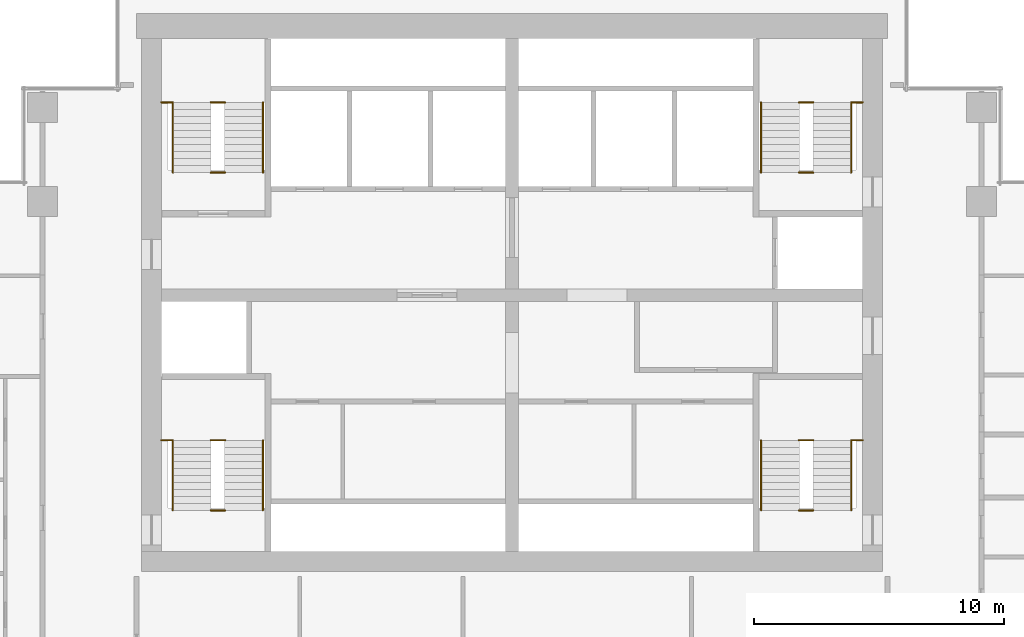
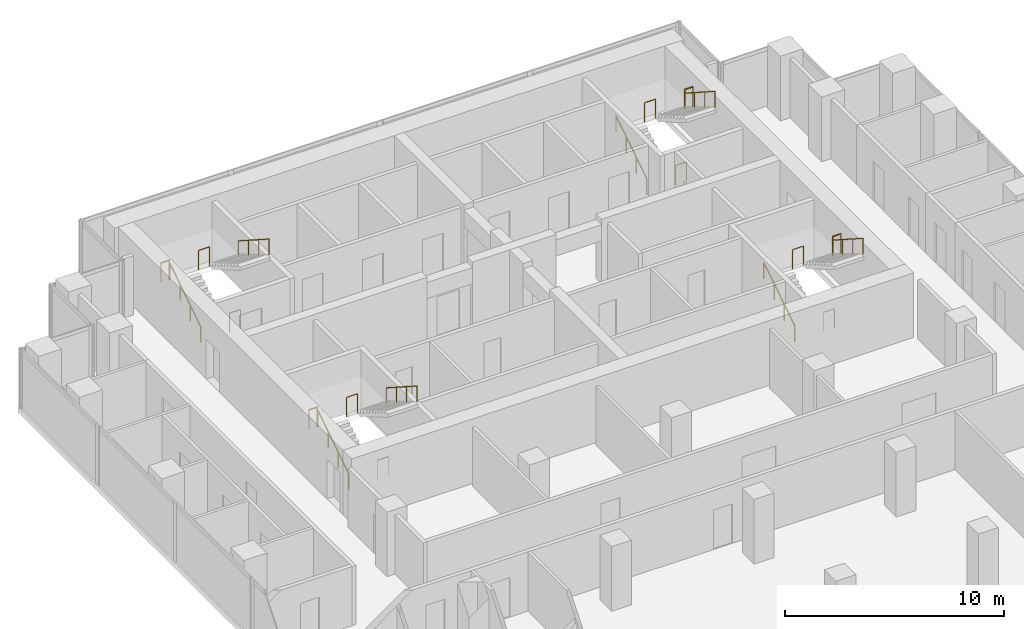
# One storey, part 10 of 10: 20 railings.
"""IFC4 building model written with IfcOpenShell, lengths in metres."""

import ifcopenshell
import ifcopenshell.guid

model = None  # the IFC model being written
_history = None  # IfcOwnerHistory: only IFC2X3 demands one
_inside = {}  # id of a spatial element -> (the spatial element, [elements in it])
_under = {}  # id of a project, library or spatial element -> (it, [spatial elements below it])
_declared = {}  # id of a project -> (the project, [libraries it declares])
_typed = {}  # id of a type object -> (the type object, [elements of that type])
_made_of = {}  # id of a material, layer set ... -> (it, [elements and type objects made of it])


def new_model(schema):
    """Start an empty IFC model of exactly this schema.

    Asked for "IFC4X3", IfcOpenShell would pick the latest addendum, in which some entities
    have other attributes; the version numbers below select the first issue.
    IFC2X3 requires an IfcOwnerHistory on every rooted entity: one is made here for all.
    """
    global model, _history
    if schema == "IFC4X3":
        model = ifcopenshell.file(schema_version=(4, 3, 0, 0))
    else:
        model = ifcopenshell.file(schema=schema)
    _inside.clear()
    _under.clear()
    _declared.clear()
    _typed.clear()
    _made_of.clear()
    _history = None
    if model.schema == "IFC2X3":
        org = make("IfcOrganization", Name="unknown")
        user = make(
            "IfcPersonAndOrganization",
            ThePerson=make("IfcPerson", FamilyName="unknown"),
            TheOrganization=org,
        )
        app = make(
            "IfcApplication",
            ApplicationDeveloper=org,
            Version="unknown",
            ApplicationFullName="unknown",
            ApplicationIdentifier="unknown",
        )
        _history = make(
            "IfcOwnerHistory",
            OwningUser=user,
            OwningApplication=app,
            ChangeAction="ADDED",
            CreationDate=0,
        )
    return model


def make(cls, **values):
    """One entity of the class cls with the attributes given. An attribute that is None is left unset."""
    return model.create_entity(
        cls, **{name: value for name, value in values.items() if value is not None}
    )


def rooted(cls, **values):
    """An entity with a GlobalId (a new one), such as an element, a storey or a relation."""
    return make(cls, GlobalId=ifcopenshell.guid.new(), OwnerHistory=_history, **values)


def si_unit(unit_type, name, prefix=None):
    """IfcSIUnit, for example si_unit("LENGTHUNIT", "METRE", prefix="MILLI")."""
    return make("IfcSIUnit", UnitType=unit_type, Prefix=prefix, Name=name)


def assignment(units):
    """IfcUnitAssignment: the units of a project."""
    return None if units is None else make("IfcUnitAssignment", Units=units)


def point(xyz):
    """IfcCartesianPoint."""
    return None if xyz is None else make("IfcCartesianPoint", Coordinates=xyz)


def direction(xyz):
    """IfcDirection."""
    return None if xyz is None else make("IfcDirection", DirectionRatios=xyz)


def frame(location, z_axis=None, x_axis=None):
    """IfcAxis2Placement3D, a coordinate frame: its origin and axes. An axis left out is left unset."""
    return make(
        "IfcAxis2Placement3D",
        Location=point(location),
        Axis=direction(z_axis),
        RefDirection=direction(x_axis),
    )


def frame_2d(location, x_axis=None):
    """IfcAxis2Placement2D, a coordinate frame in the plane: its origin and x axis."""
    return make(
        "IfcAxis2Placement2D", Location=point(location), RefDirection=direction(x_axis)
    )


def origin():
    """The frame at (0, 0, 0) with its axes left unset."""
    return frame((0.0, 0.0, 0.0))


def origin_2d():
    """The frame at (0, 0) in the plane with its x axis left unset."""
    return frame_2d((0.0, 0.0))


def place(relative_to, where):
    """IfcLocalPlacement: puts the frame where relative to a parent placement (None: the world)."""
    return make(
        "IfcLocalPlacement", PlacementRelTo=relative_to, RelativePlacement=where
    )


def context(
    kind, dimensions, precision=None, world=None, true_north=None, identifier=None
):
    """IfcGeometricRepresentationContext, for example the 3D "Model" context."""
    return make(
        "IfcGeometricRepresentationContext",
        ContextIdentifier=identifier,
        ContextType=kind,
        CoordinateSpaceDimension=dimensions,
        Precision=precision,
        WorldCoordinateSystem=world,
        TrueNorth=true_north,
    )


def subcontext(parent, identifier, kind, view, scale=None):
    """IfcGeometricRepresentationSubContext, for example "Body" below "Model"."""
    return make(
        "IfcGeometricRepresentationSubContext",
        ContextIdentifier=identifier,
        ContextType=kind,
        ParentContext=parent,
        TargetScale=scale,
        TargetView=view,
    )


def project(units=None, contexts=None):
    """IfcProject with its units and contexts."""
    return rooted(
        "IfcProject",
        Name="project",
        RepresentationContexts=contexts,
        UnitsInContext=assignment(units),
    )


def spatial(cls, under=None, at=None, **own):
    """A site, building, storey or space (cls), placed at a placement, below another one or the project."""
    s = rooted(cls, ObjectPlacement=at, **own)
    if under is not None:
        _under.setdefault(under.id(), (under, []))[1].append(s)
    return s


def profile(cls, at=None, kind="AREA", **sizes):
    """A parametric profile (cls). Its sizes go by their IFC names, for example OverallWidth=200.0."""
    return make(cls, ProfileType=kind, Position=at, **sizes)


def circle(**sizes):
    """IfcCircleProfileDef."""
    return profile("IfcCircleProfileDef", **sizes)


def extrude(swept, where, along, depth):
    """IfcExtrudedAreaSolid: the profile swept, set in the frame where, extruded along a direction by depth."""
    return make(
        "IfcExtrudedAreaSolid",
        SweptArea=swept,
        Position=where,
        ExtrudedDirection=direction(along),
        Depth=depth,
    )


def shape(context_of_items, identifier, shape_type, items):
    """IfcShapeRepresentation: the items that make up one representation, for example the "Body"."""
    return make(
        "IfcShapeRepresentation",
        ContextOfItems=context_of_items,
        RepresentationIdentifier=identifier,
        RepresentationType=shape_type,
        Items=items,
    )


def material(Name=None, Category=None):
    """IfcMaterial."""
    return make("IfcMaterial", Name=Name, Category=Category)


def made_of(thing, what):
    """Note that an element or type object is made of a material, layer set ...; save() writes the relation."""
    if what is not None:
        _made_of.setdefault(what.id(), (what, []))[1].append(thing)
    return thing


def type_object(cls, material=None, **own):
    """A type object (cls), such as IfcWallType, which elements share."""
    return made_of(rooted(cls, **own), material)


def element(
    cls,
    number,
    at=None,
    inside=None,
    cuts=None,
    type_object=None,
    material=None,
    context=None,
    identifier="Body",
    shape_type=None,
    held_by="IfcProductDefinitionShape",
    body=None,
    shapes=None,
    **own,
):
    """One element of the class cls, such as IfcWall. Its Tag is "e" and its number.

    at: its placement. inside: the storey or other place that contains it. cuts: it is an
    opening in that element (IfcRelVoidsElement). A single representation is given by context,
    identifier, shape_type and body (its items); several are given by shapes. held_by: the class
    of the entity that holds the representations. save() writes the other relations.
    """
    e = rooted(cls, Tag="e%d" % number, ObjectPlacement=at, **own)
    if body is not None:
        shapes = [shape(context, identifier, shape_type, body)]
    if shapes is not None:
        e.Representation = make(held_by, Representations=shapes)
    if inside is not None:
        _inside.setdefault(inside.id(), (inside, []))[1].append(e)
    if cuts is not None:
        rooted(
            "IfcRelVoidsElement", RelatingBuildingElement=cuts, RelatedOpeningElement=e
        )
    if type_object is not None:
        _typed.setdefault(type_object.id(), (type_object, []))[1].append(e)
    return made_of(e, material)


def aggregate(whole, parts):
    """IfcRelAggregates: a whole, such as a stair, and the parts it consists of."""
    return rooted("IfcRelAggregates", RelatingObject=whole, RelatedObjects=parts)


def save(model, path):
    """Write the relations noted so far, then the file.

    IfcRelAggregates (storeys below a building ...), IfcRelContainedInSpatialStructure (elements
    in a storey), IfcRelDefinesByType, IfcRelAssociatesMaterial and IfcRelDeclares: one each for
    every whole, place, type object, material and project.
    """
    for whole, parts in _under.values():
        aggregate(whole, parts)
    for where, things in _inside.values():
        rooted(
            "IfcRelContainedInSpatialStructure",
            RelatedElements=things,
            RelatingStructure=where,
        )
    for kind, things in _typed.values():
        rooted("IfcRelDefinesByType", RelatedObjects=things, RelatingType=kind)
    for what, things in _made_of.values():
        rooted("IfcRelAssociatesMaterial", RelatedObjects=things, RelatingMaterial=what)
    for by, libraries in _declared.values():
        rooted("IfcRelDeclares", RelatingContext=by, RelatedDefinitions=libraries)
    model.write(path)


model = new_model("IFC4")

# Units and contexts
model_context = context("Model", 3, precision=1e-05, world=origin(), true_north=direction((0.0, 1.0)))
body_context = subcontext(model_context, "Body", "Model", "MODEL_VIEW")
ifc_project = project(units=[si_unit("LENGTHUNIT", "METRE"), si_unit("AREAUNIT", "SQUARE_METRE"), si_unit("VOLUMEUNIT", "CUBIC_METRE"), si_unit("PLANEANGLEUNIT", "RADIAN"), si_unit("MASSUNIT", "GRAM", prefix="KILO")], contexts=[model_context])

# Site, building, storey
site_placement = place(None, origin())
site = spatial("IfcSite", under=ifc_project, at=site_placement, CompositionType="ELEMENT")
building_placement = place(site_placement, origin())
building = spatial("IfcBuilding", under=site, at=building_placement, Name="Pilkhan Gate Tower", CompositionType="ELEMENT")
storey_placement = place(building_placement, frame((0.0, 0.0, 154.89990234375)))
storey = spatial("IfcBuildingStorey", under=building, at=storey_placement, Name="L39", CompositionType="ELEMENT", Elevation=154.89990234375)

# Railings
ifc_material_1 = material(Name="Black powder-coated steel tube", Category="steel")
railing_type_1 = type_object("IfcRailingType", Name="Stair handrail HR1", PredefinedType="HANDRAIL", material=ifc_material_1)
railing_1_placement = place(storey_placement, frame((84.949951171875, 73.89990234375, 0.0)))
element("IfcRailing", 1, at=railing_1_placement, inside=storey, type_object=railing_type_1, Name="Stair ST1 handrail L39", PredefinedType="HANDRAIL", context=body_context, shape_type="SweptSolid", body=[
    extrude(circle(Radius=0.02392578125, at=origin_2d()), frame((0.0, 0.0, 0.8759765625), z_axis=(0.0, 0.841176092368, 0.540761298198), x_axis=(-1.0, 0.0, 0.0)), (0.0, 0.0, 1.0), 3.32861328125),
    extrude(circle(Radius=0.02099609375, at=origin_2d()), origin(), (0.0, 0.0, 1.0), 0.851806640625),
    extrude(circle(Radius=0.02099609375, at=origin_2d()), frame((0.0, 0.933349609375, 0.60009765625)), (0.0, 0.0, 1.0), 0.851806640625),
    extrude(circle(Radius=0.02099609375, at=origin_2d()), frame((0.0, 1.86669921875, 1.199951171875)), (0.0, 0.0, 1.0), 0.851806640625),
    extrude(circle(Radius=0.02099609375, at=origin_2d()), frame((0.0, 2.800048828125, 1.800048828125)), (0.0, 0.0, 1.0), 0.851806640625),
])
railing_2_placement = place(storey_placement, frame((88.550048828125, 76.699951171875, 1.800048828125)))
element("IfcRailing", 2, at=railing_2_placement, inside=storey, type_object=railing_type_1, Name="Stair ST1 handrail L39", PredefinedType="HANDRAIL", context=body_context, shape_type="SweptSolid", body=[
    extrude(circle(Radius=0.02392578125, at=origin_2d()), frame((0.0, 0.0, 0.8759765625), z_axis=(0.0, -0.841176092368, 0.540761298198), x_axis=(1.0, 0.0, 0.0)), (0.0, 0.0, 1.0), 3.32861328125),
    extrude(circle(Radius=0.02099609375, at=origin_2d()), origin(), (0.0, 0.0, 1.0), 0.851806640625),
    extrude(circle(Radius=0.02099609375, at=origin_2d()), frame((0.0, -0.933349609375, 0.60009765625)), (0.0, 0.0, 1.0), 0.851806640625),
    extrude(circle(Radius=0.02099609375, at=origin_2d()), frame((0.0, -1.86669921875, 1.199951171875)), (0.0, 0.0, 1.0), 0.851806640625),
    extrude(circle(Radius=0.02099609375, at=origin_2d()), frame((0.0, -2.800048828125, 1.800048828125)), (0.0, 0.0, 1.0), 0.851806640625),
])
railing_3_placement = place(storey_placement, frame((61.449951171875, 73.89990234375, 0.0)))
element("IfcRailing", 3, at=railing_3_placement, inside=storey, type_object=railing_type_1, Name="Stair ST2 handrail L39", PredefinedType="HANDRAIL", context=body_context, shape_type="SweptSolid", body=[
    extrude(circle(Radius=0.02392578125, at=origin_2d()), frame((0.0, 0.0, 0.8759765625), z_axis=(0.0, 0.841176092368, 0.540761298198), x_axis=(-1.0, 0.0, 0.0)), (0.0, 0.0, 1.0), 3.32861328125),
    extrude(circle(Radius=0.02099609375, at=origin_2d()), origin(), (0.0, 0.0, 1.0), 0.851806640625),
    extrude(circle(Radius=0.02099609375, at=origin_2d()), frame((0.0, 0.933349609375, 0.60009765625)), (0.0, 0.0, 1.0), 0.851806640625),
    extrude(circle(Radius=0.02099609375, at=origin_2d()), frame((0.0, 1.86669921875, 1.199951171875)), (0.0, 0.0, 1.0), 0.851806640625),
    extrude(circle(Radius=0.02099609375, at=origin_2d()), frame((0.0, 2.800048828125, 1.800048828125)), (0.0, 0.0, 1.0), 0.851806640625),
])
railing_4_placement = place(storey_placement, frame((65.050048828125, 76.699951171875, 1.800048828125)))
element("IfcRailing", 4, at=railing_4_placement, inside=storey, type_object=railing_type_1, Name="Stair ST2 handrail L39", PredefinedType="HANDRAIL", context=body_context, shape_type="SweptSolid", body=[
    extrude(circle(Radius=0.02392578125, at=origin_2d()), frame((0.0, 0.0, 0.8759765625), z_axis=(0.0, -0.841176092368, 0.540761298198), x_axis=(1.0, 0.0, 0.0)), (0.0, 0.0, 1.0), 3.32861328125),
    extrude(circle(Radius=0.02099609375, at=origin_2d()), origin(), (0.0, 0.0, 1.0), 0.851806640625),
    extrude(circle(Radius=0.02099609375, at=origin_2d()), frame((0.0, -0.933349609375, 0.60009765625)), (0.0, 0.0, 1.0), 0.851806640625),
    extrude(circle(Radius=0.02099609375, at=origin_2d()), frame((0.0, -1.86669921875, 1.199951171875)), (0.0, 0.0, 1.0), 0.851806640625),
    extrude(circle(Radius=0.02099609375, at=origin_2d()), frame((0.0, -2.800048828125, 1.800048828125)), (0.0, 0.0, 1.0), 0.851806640625),
])
railing_5_placement = place(storey_placement, frame((61.449951171875, 87.39990234375, 0.0)))
element("IfcRailing", 5, at=railing_5_placement, inside=storey, type_object=railing_type_1, Name="Stair ST3 handrail L39", PredefinedType="HANDRAIL", context=body_context, shape_type="SweptSolid", body=[
    extrude(circle(Radius=0.02392578125, at=origin_2d()), frame((0.0, 0.0, 0.8759765625), z_axis=(0.0, 0.841176092368, 0.540761298198), x_axis=(-1.0, 0.0, 0.0)), (0.0, 0.0, 1.0), 3.32861328125),
    extrude(circle(Radius=0.02099609375, at=origin_2d()), origin(), (0.0, 0.0, 1.0), 0.851806640625),
    extrude(circle(Radius=0.02099609375, at=origin_2d()), frame((0.0, 0.933349609375, 0.60009765625)), (0.0, 0.0, 1.0), 0.851806640625),
    extrude(circle(Radius=0.02099609375, at=origin_2d()), frame((0.0, 1.86669921875, 1.199951171875)), (0.0, 0.0, 1.0), 0.851806640625),
    extrude(circle(Radius=0.02099609375, at=origin_2d()), frame((0.0, 2.800048828125, 1.800048828125)), (0.0, 0.0, 1.0), 0.851806640625),
])
railing_6_placement = place(storey_placement, frame((65.050048828125, 90.199951171875, 1.800048828125)))
element("IfcRailing", 6, at=railing_6_placement, inside=storey, type_object=railing_type_1, Name="Stair ST3 handrail L39", PredefinedType="HANDRAIL", context=body_context, shape_type="SweptSolid", body=[
    extrude(circle(Radius=0.02392578125, at=origin_2d()), frame((0.0, 0.0, 0.8759765625), z_axis=(0.0, -0.841176092368, 0.540761298198), x_axis=(1.0, 0.0, 0.0)), (0.0, 0.0, 1.0), 3.32861328125),
    extrude(circle(Radius=0.02099609375, at=origin_2d()), origin(), (0.0, 0.0, 1.0), 0.851806640625),
    extrude(circle(Radius=0.02099609375, at=origin_2d()), frame((0.0, -0.933349609375, 0.60009765625)), (0.0, 0.0, 1.0), 0.851806640625),
    extrude(circle(Radius=0.02099609375, at=origin_2d()), frame((0.0, -1.86669921875, 1.199951171875)), (0.0, 0.0, 1.0), 0.851806640625),
    extrude(circle(Radius=0.02099609375, at=origin_2d()), frame((0.0, -2.800048828125, 1.800048828125)), (0.0, 0.0, 1.0), 0.851806640625),
])
railing_7_placement = place(storey_placement, frame((84.949951171875, 87.39990234375, 0.0)))
element("IfcRailing", 7, at=railing_7_placement, inside=storey, type_object=railing_type_1, Name="Stair ST4 handrail L39", PredefinedType="HANDRAIL", context=body_context, shape_type="SweptSolid", body=[
    extrude(circle(Radius=0.02392578125, at=origin_2d()), frame((0.0, 0.0, 0.8759765625), z_axis=(0.0, 0.841176092368, 0.540761298198), x_axis=(-1.0, 0.0, 0.0)), (0.0, 0.0, 1.0), 3.32861328125),
    extrude(circle(Radius=0.02099609375, at=origin_2d()), origin(), (0.0, 0.0, 1.0), 0.851806640625),
    extrude(circle(Radius=0.02099609375, at=origin_2d()), frame((0.0, 0.933349609375, 0.60009765625)), (0.0, 0.0, 1.0), 0.851806640625),
    extrude(circle(Radius=0.02099609375, at=origin_2d()), frame((0.0, 1.86669921875, 1.199951171875)), (0.0, 0.0, 1.0), 0.851806640625),
    extrude(circle(Radius=0.02099609375, at=origin_2d()), frame((0.0, 2.800048828125, 1.800048828125)), (0.0, 0.0, 1.0), 0.851806640625),
])
railing_8_placement = place(storey_placement, frame((88.550048828125, 90.199951171875, 1.800048828125)))
element("IfcRailing", 8, at=railing_8_placement, inside=storey, type_object=railing_type_1, Name="Stair ST4 handrail L39", PredefinedType="HANDRAIL", context=body_context, shape_type="SweptSolid", body=[
    extrude(circle(Radius=0.02392578125, at=origin_2d()), frame((0.0, 0.0, 0.8759765625), z_axis=(0.0, -0.841176092368, 0.540761298198), x_axis=(1.0, 0.0, 0.0)), (0.0, 0.0, 1.0), 3.32861328125),
    extrude(circle(Radius=0.02099609375, at=origin_2d()), origin(), (0.0, 0.0, 1.0), 0.851806640625),
    extrude(circle(Radius=0.02099609375, at=origin_2d()), frame((0.0, -0.933349609375, 0.60009765625)), (0.0, 0.0, 1.0), 0.851806640625),
    extrude(circle(Radius=0.02099609375, at=origin_2d()), frame((0.0, -1.86669921875, 1.199951171875)), (0.0, 0.0, 1.0), 0.851806640625),
    extrude(circle(Radius=0.02099609375, at=origin_2d()), frame((0.0, -2.800048828125, 1.800048828125)), (0.0, 0.0, 1.0), 0.851806640625),
])
ifc_material_2 = material(Name="Black powder-coated steel balusters", Category="steel")
railing_type_2 = type_object("IfcRailingType", Name="Stair well guard G3", PredefinedType="GUARDRAIL", material=ifc_material_2)
railing_9_placement = place(storey_placement, frame((88.580078125, 76.699951171875, 1.800048828125)))
element("IfcRailing", 9, at=railing_9_placement, inside=storey, type_object=railing_type_2, Name="Stair ST1 well guard L39", PredefinedType="GUARDRAIL", context=body_context, shape_type="SweptSolid", body=[
    extrude(circle(Radius=0.02392578125, at=origin_2d()), frame((0.0, 0.0, 1.076171875), z_axis=(1.0, 0.0, 0.0), x_axis=(0.0, 1.0, 0.0)), (0.0, 0.0, 1.0), 0.43994140625),
    extrude(circle(Radius=0.02099609375, at=origin_2d()), origin(), (0.0, 0.0, 1.0), 1.052001953125),
    extrude(circle(Radius=0.02099609375, at=origin_2d()), frame((0.43994140625, 0.0, 0.0)), (0.0, 0.0, 1.0), 1.052001953125),
])
for number, where, name in (
    (10, (86.4599609375, 73.89990234375, 0.0), "Stair ST1 well guard L39"),
    (11, (86.4599609375, 76.699951171875, 1.800048828125), "Stair ST1 well guard L39"),
):
    element("IfcRailing", number, at=place(storey_placement, frame(where)), inside=storey, type_object=railing_type_2, Name=name, PredefinedType="GUARDRAIL", context=body_context, shape_type="SweptSolid", body=[
        extrude(circle(Radius=0.02392578125, at=origin_2d()), frame((0.0, 0.0, 1.076171875), z_axis=(1.0, 0.0, 0.0), x_axis=(0.0, 1.0, 0.0)), (0.0, 0.0, 1.0), 0.580078125),
        extrude(circle(Radius=0.02099609375, at=origin_2d()), origin(), (0.0, 0.0, 1.0), 1.052001953125),
        extrude(circle(Radius=0.02099609375, at=origin_2d()), frame((0.580078125, 0.0, 0.0)), (0.0, 0.0, 1.0), 1.052001953125),
    ])
railing_10_placement = place(storey_placement, frame((60.97998046875, 76.699951171875, 1.800048828125)))
element("IfcRailing", 12, at=railing_10_placement, inside=storey, type_object=railing_type_2, Name="Stair ST2 well guard L39", PredefinedType="GUARDRAIL", context=body_context, shape_type="SweptSolid", body=[
    extrude(circle(Radius=0.02392578125, at=origin_2d()), frame((0.0, 0.0, 1.076171875), z_axis=(1.0, 0.0, 0.0), x_axis=(0.0, 1.0, 0.0)), (0.0, 0.0, 1.0), 0.43994140625),
    extrude(circle(Radius=0.02099609375, at=origin_2d()), origin(), (0.0, 0.0, 1.0), 1.052001953125),
    extrude(circle(Radius=0.02099609375, at=origin_2d()), frame((0.43994140625, 0.0, 0.0)), (0.0, 0.0, 1.0), 1.052001953125),
])
for number, where, name in (
    (13, (62.9599609375, 73.89990234375, 0.0), "Stair ST2 well guard L39"),
    (14, (62.9599609375, 76.699951171875, 1.800048828125), "Stair ST2 well guard L39"),
):
    element("IfcRailing", number, at=place(storey_placement, frame(where)), inside=storey, type_object=railing_type_2, Name=name, PredefinedType="GUARDRAIL", context=body_context, shape_type="SweptSolid", body=[
        extrude(circle(Radius=0.02392578125, at=origin_2d()), frame((0.0, 0.0, 1.076171875), z_axis=(1.0, 0.0, 0.0), x_axis=(0.0, 1.0, 0.0)), (0.0, 0.0, 1.0), 0.580078125),
        extrude(circle(Radius=0.02099609375, at=origin_2d()), origin(), (0.0, 0.0, 1.0), 1.052001953125),
        extrude(circle(Radius=0.02099609375, at=origin_2d()), frame((0.580078125, 0.0, 0.0)), (0.0, 0.0, 1.0), 1.052001953125),
    ])
railing_11_placement = place(storey_placement, frame((60.97998046875, 90.199951171875, 1.800048828125)))
element("IfcRailing", 15, at=railing_11_placement, inside=storey, type_object=railing_type_2, Name="Stair ST3 well guard L39", PredefinedType="GUARDRAIL", context=body_context, shape_type="SweptSolid", body=[
    extrude(circle(Radius=0.02392578125, at=origin_2d()), frame((0.0, 0.0, 1.076171875), z_axis=(1.0, 0.0, 0.0), x_axis=(0.0, 1.0, 0.0)), (0.0, 0.0, 1.0), 0.43994140625),
    extrude(circle(Radius=0.02099609375, at=origin_2d()), origin(), (0.0, 0.0, 1.0), 1.052001953125),
    extrude(circle(Radius=0.02099609375, at=origin_2d()), frame((0.43994140625, 0.0, 0.0)), (0.0, 0.0, 1.0), 1.052001953125),
])
for number, where, name in (
    (16, (62.9599609375, 87.39990234375, 0.0), "Stair ST3 well guard L39"),
    (17, (62.9599609375, 90.199951171875, 1.800048828125), "Stair ST3 well guard L39"),
):
    element("IfcRailing", number, at=place(storey_placement, frame(where)), inside=storey, type_object=railing_type_2, Name=name, PredefinedType="GUARDRAIL", context=body_context, shape_type="SweptSolid", body=[
        extrude(circle(Radius=0.02392578125, at=origin_2d()), frame((0.0, 0.0, 1.076171875), z_axis=(1.0, 0.0, 0.0), x_axis=(0.0, 1.0, 0.0)), (0.0, 0.0, 1.0), 0.580078125),
        extrude(circle(Radius=0.02099609375, at=origin_2d()), origin(), (0.0, 0.0, 1.0), 1.052001953125),
        extrude(circle(Radius=0.02099609375, at=origin_2d()), frame((0.580078125, 0.0, 0.0)), (0.0, 0.0, 1.0), 1.052001953125),
    ])
railing_12_placement = place(storey_placement, frame((88.580078125, 90.199951171875, 1.800048828125)))
element("IfcRailing", 18, at=railing_12_placement, inside=storey, type_object=railing_type_2, Name="Stair ST4 well guard L39", PredefinedType="GUARDRAIL", context=body_context, shape_type="SweptSolid", body=[
    extrude(circle(Radius=0.02392578125, at=origin_2d()), frame((0.0, 0.0, 1.076171875), z_axis=(1.0, 0.0, 0.0), x_axis=(0.0, 1.0, 0.0)), (0.0, 0.0, 1.0), 0.43994140625),
    extrude(circle(Radius=0.02099609375, at=origin_2d()), origin(), (0.0, 0.0, 1.0), 1.052001953125),
    extrude(circle(Radius=0.02099609375, at=origin_2d()), frame((0.43994140625, 0.0, 0.0)), (0.0, 0.0, 1.0), 1.052001953125),
])
for number, where, name in (
    (19, (86.4599609375, 87.39990234375, 0.0), "Stair ST4 well guard L39"),
    (20, (86.4599609375, 90.199951171875, 1.800048828125), "Stair ST4 well guard L39"),
):
    element("IfcRailing", number, at=place(storey_placement, frame(where)), inside=storey, type_object=railing_type_2, Name=name, PredefinedType="GUARDRAIL", context=body_context, shape_type="SweptSolid", body=[
        extrude(circle(Radius=0.02392578125, at=origin_2d()), frame((0.0, 0.0, 1.076171875), z_axis=(1.0, 0.0, 0.0), x_axis=(0.0, 1.0, 0.0)), (0.0, 0.0, 1.0), 0.580078125),
        extrude(circle(Radius=0.02099609375, at=origin_2d()), origin(), (0.0, 0.0, 1.0), 1.052001953125),
        extrude(circle(Radius=0.02099609375, at=origin_2d()), frame((0.580078125, 0.0, 0.0)), (0.0, 0.0, 1.0), 1.052001953125),
    ])

save(model, "model.ifc")
